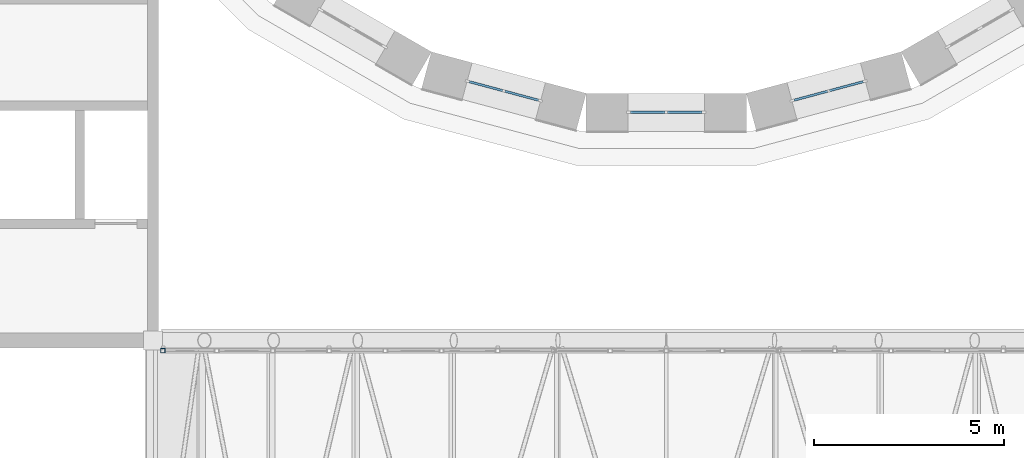
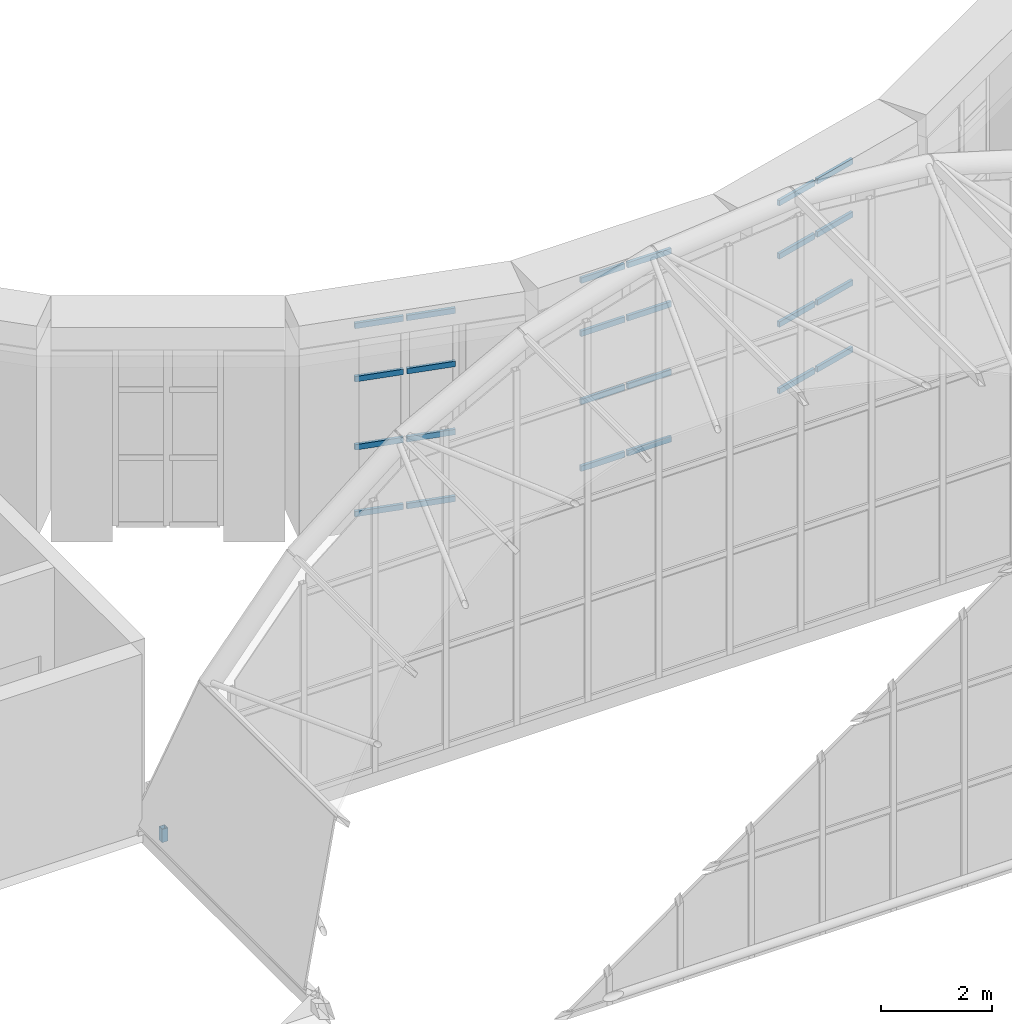
# One storey, part 69 of 121: 25 members, 4 elements without a shape of their own.
"""IFC4 building model written with IfcOpenShell, lengths in metres."""

import ifcopenshell
import ifcopenshell.guid

model = None  # the IFC model being written
_history = None  # IfcOwnerHistory: only IFC2X3 demands one
_inside = {}  # id of a spatial element -> (the spatial element, [elements in it])
_under = {}  # id of a project, library or spatial element -> (it, [spatial elements below it])
_declared = {}  # id of a project -> (the project, [libraries it declares])
_typed = {}  # id of a type object -> (the type object, [elements of that type])
_made_of = {}  # id of a material, layer set ... -> (it, [elements and type objects made of it])


def new_model(schema):
    """Start an empty IFC model of exactly this schema.

    Asked for "IFC4X3", IfcOpenShell would pick the latest addendum, in which some entities
    have other attributes; the version numbers below select the first issue.
    IFC2X3 requires an IfcOwnerHistory on every rooted entity: one is made here for all.
    """
    global model, _history
    if schema == "IFC4X3":
        model = ifcopenshell.file(schema_version=(4, 3, 0, 0))
    else:
        model = ifcopenshell.file(schema=schema)
    _inside.clear()
    _under.clear()
    _declared.clear()
    _typed.clear()
    _made_of.clear()
    _history = None
    if model.schema == "IFC2X3":
        org = make("IfcOrganization", Name="unknown")
        user = make(
            "IfcPersonAndOrganization",
            ThePerson=make("IfcPerson", FamilyName="unknown"),
            TheOrganization=org,
        )
        app = make(
            "IfcApplication",
            ApplicationDeveloper=org,
            Version="unknown",
            ApplicationFullName="unknown",
            ApplicationIdentifier="unknown",
        )
        _history = make(
            "IfcOwnerHistory",
            OwningUser=user,
            OwningApplication=app,
            ChangeAction="ADDED",
            CreationDate=0,
        )
    return model


def make(cls, **values):
    """One entity of the class cls with the attributes given. An attribute that is None is left unset."""
    return model.create_entity(
        cls, **{name: value for name, value in values.items() if value is not None}
    )


def rooted(cls, **values):
    """An entity with a GlobalId (a new one), such as an element, a storey or a relation."""
    return make(cls, GlobalId=ifcopenshell.guid.new(), OwnerHistory=_history, **values)


def si_unit(unit_type, name, prefix=None):
    """IfcSIUnit, for example si_unit("LENGTHUNIT", "METRE", prefix="MILLI")."""
    return make("IfcSIUnit", UnitType=unit_type, Prefix=prefix, Name=name)


def assignment(units):
    """IfcUnitAssignment: the units of a project."""
    return None if units is None else make("IfcUnitAssignment", Units=units)


def point(xyz):
    """IfcCartesianPoint."""
    return None if xyz is None else make("IfcCartesianPoint", Coordinates=xyz)


def direction(xyz):
    """IfcDirection."""
    return None if xyz is None else make("IfcDirection", DirectionRatios=xyz)


def frame(location, z_axis=None, x_axis=None):
    """IfcAxis2Placement3D, a coordinate frame: its origin and axes. An axis left out is left unset."""
    return make(
        "IfcAxis2Placement3D",
        Location=point(location),
        Axis=direction(z_axis),
        RefDirection=direction(x_axis),
    )


def frame_2d(location, x_axis=None):
    """IfcAxis2Placement2D, a coordinate frame in the plane: its origin and x axis."""
    return make(
        "IfcAxis2Placement2D", Location=point(location), RefDirection=direction(x_axis)
    )


def origin():
    """The frame at (0, 0, 0) with its axes left unset."""
    return frame((0.0, 0.0, 0.0))


def origin_2d():
    """The frame at (0, 0) in the plane with its x axis left unset."""
    return frame_2d((0.0, 0.0))


def place(relative_to, where):
    """IfcLocalPlacement: puts the frame where relative to a parent placement (None: the world)."""
    return make(
        "IfcLocalPlacement", PlacementRelTo=relative_to, RelativePlacement=where
    )


def context(
    kind, dimensions, precision=None, world=None, true_north=None, identifier=None
):
    """IfcGeometricRepresentationContext, for example the 3D "Model" context."""
    return make(
        "IfcGeometricRepresentationContext",
        ContextIdentifier=identifier,
        ContextType=kind,
        CoordinateSpaceDimension=dimensions,
        Precision=precision,
        WorldCoordinateSystem=world,
        TrueNorth=true_north,
    )


def subcontext(parent, identifier, kind, view, scale=None):
    """IfcGeometricRepresentationSubContext, for example "Body" below "Model"."""
    return make(
        "IfcGeometricRepresentationSubContext",
        ContextIdentifier=identifier,
        ContextType=kind,
        ParentContext=parent,
        TargetScale=scale,
        TargetView=view,
    )


def project(units=None, contexts=None):
    """IfcProject with its units and contexts."""
    return rooted(
        "IfcProject",
        Name="project",
        RepresentationContexts=contexts,
        UnitsInContext=assignment(units),
    )


def spatial(cls, under=None, at=None, **own):
    """A site, building, storey or space (cls), placed at a placement, below another one or the project."""
    s = rooted(cls, ObjectPlacement=at, **own)
    if under is not None:
        _under.setdefault(under.id(), (under, []))[1].append(s)
    return s


def profile(cls, at=None, kind="AREA", **sizes):
    """A parametric profile (cls). Its sizes go by their IFC names, for example OverallWidth=200.0."""
    return make(cls, ProfileType=kind, Position=at, **sizes)


def rectangle(**sizes):
    """IfcRectangleProfileDef."""
    return profile("IfcRectangleProfileDef", **sizes)


def hollow_rectangle(**sizes):
    """IfcRectangleHollowProfileDef."""
    return profile("IfcRectangleHollowProfileDef", **sizes)


def extrude(swept, where, along, depth):
    """IfcExtrudedAreaSolid: the profile swept, set in the frame where, extruded along a direction by depth."""
    return make(
        "IfcExtrudedAreaSolid",
        SweptArea=swept,
        Position=where,
        ExtrudedDirection=direction(along),
        Depth=depth,
    )


def shape(context_of_items, identifier, shape_type, items):
    """IfcShapeRepresentation: the items that make up one representation, for example the "Body"."""
    return make(
        "IfcShapeRepresentation",
        ContextOfItems=context_of_items,
        RepresentationIdentifier=identifier,
        RepresentationType=shape_type,
        Items=items,
    )


def material(Name=None, Category=None):
    """IfcMaterial."""
    return make("IfcMaterial", Name=Name, Category=Category)


def layer(
    of_material, thickness, ventilated=None, Name=None, Category=None, Priority=None
):
    """IfcMaterialLayer: one layer of a wall or slab, of a material (None: an air gap)."""
    return make(
        "IfcMaterialLayer",
        Material=of_material,
        LayerThickness=thickness,
        IsVentilated=ventilated,
        Name=Name,
        Category=Category,
        Priority=Priority,
    )


def layer_set(layers, Name=None):
    """IfcMaterialLayerSet."""
    return make("IfcMaterialLayerSet", MaterialLayers=layers, LayerSetName=Name)


def material_profile(
    of_material, cross_section, Name=None, Category=None, Priority=None
):
    """IfcMaterialProfile: a cross section and its material."""
    return make(
        "IfcMaterialProfile",
        Name=Name,
        Material=of_material,
        Profile=cross_section,
        Priority=Priority,
        Category=Category,
    )


def profile_set(profiles, Name=None, composite=None):
    """IfcMaterialProfileSet."""
    return make(
        "IfcMaterialProfileSet",
        Name=Name,
        MaterialProfiles=profiles,
        CompositeProfile=composite,
    )


def made_of(thing, what):
    """Note that an element or type object is made of a material, layer set ...; save() writes the relation."""
    if what is not None:
        _made_of.setdefault(what.id(), (what, []))[1].append(thing)
    return thing


def type_object(cls, material=None, **own):
    """A type object (cls), such as IfcWallType, which elements share."""
    return made_of(rooted(cls, **own), material)


def element(
    cls,
    number,
    at=None,
    inside=None,
    cuts=None,
    type_object=None,
    material=None,
    context=None,
    identifier="Body",
    shape_type=None,
    held_by="IfcProductDefinitionShape",
    body=None,
    shapes=None,
    **own,
):
    """One element of the class cls, such as IfcWall. Its Tag is "e" and its number.

    at: its placement. inside: the storey or other place that contains it. cuts: it is an
    opening in that element (IfcRelVoidsElement). A single representation is given by context,
    identifier, shape_type and body (its items); several are given by shapes. held_by: the class
    of the entity that holds the representations. save() writes the other relations.
    """
    e = rooted(cls, Tag="e%d" % number, ObjectPlacement=at, **own)
    if body is not None:
        shapes = [shape(context, identifier, shape_type, body)]
    if shapes is not None:
        e.Representation = make(held_by, Representations=shapes)
    if inside is not None:
        _inside.setdefault(inside.id(), (inside, []))[1].append(e)
    if cuts is not None:
        rooted(
            "IfcRelVoidsElement", RelatingBuildingElement=cuts, RelatedOpeningElement=e
        )
    if type_object is not None:
        _typed.setdefault(type_object.id(), (type_object, []))[1].append(e)
    return made_of(e, material)


def aggregate(whole, parts):
    """IfcRelAggregates: a whole, such as a stair, and the parts it consists of."""
    return rooted("IfcRelAggregates", RelatingObject=whole, RelatedObjects=parts)


def save(model, path):
    """Write the relations noted so far, then the file.

    IfcRelAggregates (storeys below a building ...), IfcRelContainedInSpatialStructure (elements
    in a storey), IfcRelDefinesByType, IfcRelAssociatesMaterial and IfcRelDeclares: one each for
    every whole, place, type object, material and project.
    """
    for whole, parts in _under.values():
        aggregate(whole, parts)
    for where, things in _inside.values():
        rooted(
            "IfcRelContainedInSpatialStructure",
            RelatedElements=things,
            RelatingStructure=where,
        )
    for kind, things in _typed.values():
        rooted("IfcRelDefinesByType", RelatedObjects=things, RelatingType=kind)
    for what, things in _made_of.values():
        rooted("IfcRelAssociatesMaterial", RelatedObjects=things, RelatingMaterial=what)
    for by, libraries in _declared.values():
        rooted("IfcRelDeclares", RelatingContext=by, RelatedDefinitions=libraries)
    model.write(path)


model = new_model("IFC4")

# Units and contexts
model_context = context("Model", 3, precision=1e-05, world=origin(), true_north=direction((0.0, 1.0)))
body_context = subcontext(model_context, "Body", "Model", "MODEL_VIEW")
ifc_project = project(units=[si_unit("LENGTHUNIT", "METRE"), si_unit("AREAUNIT", "SQUARE_METRE"), si_unit("VOLUMEUNIT", "CUBIC_METRE"), si_unit("PLANEANGLEUNIT", "RADIAN"), si_unit("MASSUNIT", "GRAM", prefix="KILO")], contexts=[model_context])

# Site, building, storey
site_placement = place(None, origin())
site = spatial("IfcSite", under=ifc_project, at=site_placement, CompositionType="ELEMENT")
building_placement = place(site_placement, origin())
building = spatial("IfcBuilding", under=site, at=building_placement, Name="Golden Quay Civic Hall", CompositionType="ELEMENT")
storey_placement = place(building_placement, frame((0.0, 0.0, 18.60009765625)))
storey = spatial("IfcBuildingStorey", under=building, at=storey_placement, Name="L04", CompositionType="ELEMENT", Elevation=18.60009765625)

# Curtain wall, members
ifc_material_1 = material(Name="Glass, laminated double glazed", Category="glass")
ifc_layer = layer(ifc_material_1, 0.199951171875)
ifc_layer_set = layer_set([ifc_layer], Name="Glazed drum clerestory curtain wall")
curtain_wall_type_1 = type_object("IfcCurtainWallType", Name="Glazed drum clerestory curtain wall", PredefinedType="NOTDEFINED", material=ifc_layer_set)
curtain_wall_1_placement = place(storey_placement, origin())
curtain_wall_1 = element("IfcCurtainWall", 1, at=curtain_wall_1_placement, inside=storey, type_object=curtain_wall_type_1, Name="Clerestory curtain wall 17", PredefinedType="NOTDEFINED")
ifc_material_2 = material(Name="Aluminium, anodised", Category="aluminium")
ifc_material_profile_1 = material_profile(ifc_material_2, rectangle(XDim=0.06005859375, YDim=0.1201171875, at=origin_2d()), Name="Aluminium 60 x 120")
ifc_profile_set_1 = profile_set([ifc_material_profile_1], Name="Aluminium, anodised")
member_type_1 = type_object("IfcMemberType", Name="Aluminium transom 60 x 120", PredefinedType="USERDEFINED", material=ifc_profile_set_1)
member_1_placement = place(storey_placement, frame((80.321533203125, 69.805419921875, -0.170166015625), z_axis=(0.965967209168, -0.258664552677, 0.0), x_axis=(0.258664552677, 0.965967209168, 0.0)))
member_1 = element("IfcMember", 2, at=member_1_placement, type_object=member_type_1, Name="CW5 transom 1.1", ObjectType="TRANSOM", PredefinedType="USERDEFINED", context=body_context, shape_type="SweptSolid", body=[
    extrude(rectangle(XDim=0.06005859375, YDim=0.1201171875, at=origin_2d()), origin(), (0.0, 0.0, 1.0), 0.909912109375),
])
member_2_placement = place(storey_placement, frame((80.321533203125, 69.805419921875, 1.2998046875), z_axis=(0.965967209168, -0.258664552677, 0.0), x_axis=(0.258664552677, 0.965967209168, 0.0)))
member_2 = element("IfcMember", 3, at=member_2_placement, type_object=member_type_1, Name="CW5 transom 1.2", ObjectType="TRANSOM", PredefinedType="USERDEFINED", context=body_context, shape_type="SweptSolid", body=[
    extrude(rectangle(XDim=0.06005859375, YDim=0.1201171875, at=origin_2d()), origin(), (0.0, 0.0, 1.0), 0.909912109375),
])
member_3_placement = place(storey_placement, frame((80.321533203125, 69.805419921875, 2.7998046875), z_axis=(0.965967209168, -0.258664552677, 0.0), x_axis=(0.258664552677, 0.965967209168, 0.0)))
member_3 = element("IfcMember", 4, at=member_3_placement, type_object=member_type_1, Name="CW5 transom 1.3", ObjectType="TRANSOM", PredefinedType="USERDEFINED", context=body_context, shape_type="SweptSolid", body=[
    extrude(rectangle(XDim=0.06005859375, YDim=0.1201171875, at=origin_2d()), origin(), (0.0, 0.0, 1.0), 0.909912109375),
])
member_4_placement = place(storey_placement, frame((80.321533203125, 69.805419921875, 3.969970703125), z_axis=(0.965967209168, -0.258664552677, 0.0), x_axis=(0.258664552677, 0.965967209168, 0.0)))
member_4 = element("IfcMember", 5, at=member_4_placement, type_object=member_type_1, Name="CW5 transom 1.4", ObjectType="TRANSOM", PredefinedType="USERDEFINED", context=body_context, shape_type="SweptSolid", body=[
    extrude(rectangle(XDim=0.06005859375, YDim=0.1201171875, at=origin_2d()), origin(), (0.0, 0.0, 1.0), 0.909912109375),
])
member_5_placement = place(storey_placement, frame((81.258544921875, 69.554443359375, -0.170166015625), z_axis=(0.965900137494, -0.258914897967, 0.0), x_axis=(0.258914897967, 0.965900137494, 0.0)))
member_5 = element("IfcMember", 6, at=member_5_placement, type_object=member_type_1, Name="CW5 transom 2.1", ObjectType="TRANSOM", PredefinedType="USERDEFINED", context=body_context, shape_type="SweptSolid", body=[
    extrude(rectangle(XDim=0.06005859375, YDim=0.1201171875, at=origin_2d()), origin(), (0.0, 0.0, 1.0), 0.909912109375),
])
member_6_placement = place(storey_placement, frame((81.258544921875, 69.554443359375, 1.2998046875), z_axis=(0.965900137494, -0.258914897967, 0.0), x_axis=(0.258914897967, 0.965900137494, 0.0)))
member_6 = element("IfcMember", 7, at=member_6_placement, type_object=member_type_1, Name="CW5 transom 2.2", ObjectType="TRANSOM", PredefinedType="USERDEFINED", context=body_context, shape_type="SweptSolid", body=[
    extrude(rectangle(XDim=0.06005859375, YDim=0.1201171875, at=origin_2d()), origin(), (0.0, 0.0, 1.0), 0.909912109375),
])
member_7_placement = place(storey_placement, frame((81.258544921875, 69.554443359375, 2.7998046875), z_axis=(0.965900137494, -0.258914897967, 0.0), x_axis=(0.258914897967, 0.965900137494, 0.0)))
member_7 = element("IfcMember", 8, at=member_7_placement, type_object=member_type_1, Name="CW5 transom 2.3", ObjectType="TRANSOM", PredefinedType="USERDEFINED", context=body_context, shape_type="SweptSolid", body=[
    extrude(rectangle(XDim=0.06005859375, YDim=0.1201171875, at=origin_2d()), origin(), (0.0, 0.0, 1.0), 0.909912109375),
])
member_8_placement = place(storey_placement, frame((81.258544921875, 69.554443359375, 3.969970703125), z_axis=(0.965900137494, -0.258914897967, 0.0), x_axis=(0.258914897967, 0.965900137494, 0.0)))
member_8 = element("IfcMember", 9, at=member_8_placement, type_object=member_type_1, Name="CW5 transom 2.4", ObjectType="TRANSOM", PredefinedType="USERDEFINED", context=body_context, shape_type="SweptSolid", body=[
    extrude(rectangle(XDim=0.06005859375, YDim=0.1201171875, at=origin_2d()), origin(), (0.0, 0.0, 1.0), 0.909912109375),
])
aggregate(curtain_wall_1, [member_1, member_2, member_3, member_4, member_5, member_6, member_7, member_8])

curtain_wall_2_placement = place(storey_placement, origin())
curtain_wall_2 = element("IfcCurtainWall", 10, at=curtain_wall_2_placement, inside=storey, type_object=curtain_wall_type_1, Name="Clerestory curtain wall 18", PredefinedType="NOTDEFINED")
member_9_placement = place(storey_placement, frame((84.56005859375, 69.0, -0.170166015625), z_axis=(1.0, 0.0, 0.0), x_axis=(0.0, 1.0, 0.0)))
member_9 = element("IfcMember", 11, at=member_9_placement, type_object=member_type_1, Name="CW5 transom 1.1", ObjectType="TRANSOM", PredefinedType="USERDEFINED", context=body_context, shape_type="SweptSolid", body=[
    extrude(rectangle(XDim=0.06005859375, YDim=0.1201171875, at=origin_2d()), origin(), (0.0, 0.0, 1.0), 0.909912109375),
])
member_10_placement = place(storey_placement, frame((84.56005859375, 69.0, 1.2998046875), z_axis=(1.0, 0.0, 0.0), x_axis=(0.0, 1.0, 0.0)))
member_10 = element("IfcMember", 12, at=member_10_placement, type_object=member_type_1, Name="CW5 transom 1.2", ObjectType="TRANSOM", PredefinedType="USERDEFINED", context=body_context, shape_type="SweptSolid", body=[
    extrude(rectangle(XDim=0.06005859375, YDim=0.1201171875, at=origin_2d()), origin(), (0.0, 0.0, 1.0), 0.909912109375),
])
member_11_placement = place(storey_placement, frame((84.56005859375, 69.0, 2.7998046875), z_axis=(1.0, 0.0, 0.0), x_axis=(0.0, 1.0, 0.0)))
member_11 = element("IfcMember", 13, at=member_11_placement, type_object=member_type_1, Name="CW5 transom 1.3", ObjectType="TRANSOM", PredefinedType="USERDEFINED", context=body_context, shape_type="SweptSolid", body=[
    extrude(rectangle(XDim=0.06005859375, YDim=0.1201171875, at=origin_2d()), origin(), (0.0, 0.0, 1.0), 0.909912109375),
])
member_12_placement = place(storey_placement, frame((84.56005859375, 69.0, 3.969970703125), z_axis=(1.0, 0.0, 0.0), x_axis=(0.0, 1.0, 0.0)))
member_12 = element("IfcMember", 14, at=member_12_placement, type_object=member_type_1, Name="CW5 transom 1.4", ObjectType="TRANSOM", PredefinedType="USERDEFINED", context=body_context, shape_type="SweptSolid", body=[
    extrude(rectangle(XDim=0.06005859375, YDim=0.1201171875, at=origin_2d()), origin(), (0.0, 0.0, 1.0), 0.909912109375),
])
member_13_placement = place(storey_placement, frame((85.530029296875, 69.0, -0.170166015625), z_axis=(1.0, 0.0, 0.0), x_axis=(0.0, 1.0, 0.0)))
member_13 = element("IfcMember", 15, at=member_13_placement, type_object=member_type_1, Name="CW5 transom 2.1", ObjectType="TRANSOM", PredefinedType="USERDEFINED", context=body_context, shape_type="SweptSolid", body=[
    extrude(rectangle(XDim=0.06005859375, YDim=0.1201171875, at=origin_2d()), origin(), (0.0, 0.0, 1.0), 0.909912109375),
])
member_14_placement = place(storey_placement, frame((85.530029296875, 69.0, 1.2998046875), z_axis=(1.0, 0.0, 0.0), x_axis=(0.0, 1.0, 0.0)))
member_14 = element("IfcMember", 16, at=member_14_placement, type_object=member_type_1, Name="CW5 transom 2.2", ObjectType="TRANSOM", PredefinedType="USERDEFINED", context=body_context, shape_type="SweptSolid", body=[
    extrude(rectangle(XDim=0.06005859375, YDim=0.1201171875, at=origin_2d()), origin(), (0.0, 0.0, 1.0), 0.909912109375),
])
member_15_placement = place(storey_placement, frame((85.530029296875, 69.0, 2.7998046875), z_axis=(1.0, 0.0, 0.0), x_axis=(0.0, 1.0, 0.0)))
member_15 = element("IfcMember", 17, at=member_15_placement, type_object=member_type_1, Name="CW5 transom 2.3", ObjectType="TRANSOM", PredefinedType="USERDEFINED", context=body_context, shape_type="SweptSolid", body=[
    extrude(rectangle(XDim=0.06005859375, YDim=0.1201171875, at=origin_2d()), origin(), (0.0, 0.0, 1.0), 0.909912109375),
])
member_16_placement = place(storey_placement, frame((85.530029296875, 69.0, 3.969970703125), z_axis=(1.0, 0.0, 0.0), x_axis=(0.0, 1.0, 0.0)))
member_16 = element("IfcMember", 18, at=member_16_placement, type_object=member_type_1, Name="CW5 transom 2.4", ObjectType="TRANSOM", PredefinedType="USERDEFINED", context=body_context, shape_type="SweptSolid", body=[
    extrude(rectangle(XDim=0.06005859375, YDim=0.1201171875, at=origin_2d()), origin(), (0.0, 0.0, 1.0), 0.909912109375),
])
aggregate(curtain_wall_2, [member_9, member_10, member_11, member_12, member_13, member_14, member_15, member_16])

curtain_wall_3_placement = place(storey_placement, origin())
curtain_wall_3 = element("IfcCurtainWall", 19, at=curtain_wall_3_placement, inside=storey, type_object=curtain_wall_type_1, Name="Clerestory curtain wall 19", PredefinedType="NOTDEFINED")
member_17_placement = place(storey_placement, frame((88.862548828125, 69.31884765625, -0.170166015625), z_axis=(0.965900137494, 0.258914897967, 0.0), x_axis=(-0.258914897967, 0.965900137494, 0.0)))
member_17 = element("IfcMember", 20, at=member_17_placement, type_object=member_type_1, Name="CW5 transom 1.1", ObjectType="TRANSOM", PredefinedType="USERDEFINED", context=body_context, shape_type="SweptSolid", body=[
    extrude(rectangle(XDim=0.06005859375, YDim=0.1201171875, at=origin_2d()), origin(), (0.0, 0.0, 1.0), 0.909912109375),
])
member_18_placement = place(storey_placement, frame((88.862548828125, 69.31884765625, 1.2998046875), z_axis=(0.965900137494, 0.258914897967, 0.0), x_axis=(-0.258914897967, 0.965900137494, 0.0)))
member_18 = element("IfcMember", 21, at=member_18_placement, type_object=member_type_1, Name="CW5 transom 1.2", ObjectType="TRANSOM", PredefinedType="USERDEFINED", context=body_context, shape_type="SweptSolid", body=[
    extrude(rectangle(XDim=0.06005859375, YDim=0.1201171875, at=origin_2d()), origin(), (0.0, 0.0, 1.0), 0.909912109375),
])
member_19_placement = place(storey_placement, frame((88.862548828125, 69.31884765625, 2.7998046875), z_axis=(0.965900137494, 0.258914897967, 0.0), x_axis=(-0.258914897967, 0.965900137494, 0.0)))
member_19 = element("IfcMember", 22, at=member_19_placement, type_object=member_type_1, Name="CW5 transom 1.3", ObjectType="TRANSOM", PredefinedType="USERDEFINED", context=body_context, shape_type="SweptSolid", body=[
    extrude(rectangle(XDim=0.06005859375, YDim=0.1201171875, at=origin_2d()), origin(), (0.0, 0.0, 1.0), 0.909912109375),
])
member_20_placement = place(storey_placement, frame((88.862548828125, 69.31884765625, 3.969970703125), z_axis=(0.965900137494, 0.258914897967, 0.0), x_axis=(-0.258914897967, 0.965900137494, 0.0)))
member_20 = element("IfcMember", 23, at=member_20_placement, type_object=member_type_1, Name="CW5 transom 1.4", ObjectType="TRANSOM", PredefinedType="USERDEFINED", context=body_context, shape_type="SweptSolid", body=[
    extrude(rectangle(XDim=0.06005859375, YDim=0.1201171875, at=origin_2d()), origin(), (0.0, 0.0, 1.0), 0.909912109375),
])
member_21_placement = place(storey_placement, frame((89.799560546875, 69.570068359375, -0.170166015625), z_axis=(0.965967209168, 0.258664552677, 0.0), x_axis=(-0.258664552677, 0.965967209168, 0.0)))
member_21 = element("IfcMember", 24, at=member_21_placement, type_object=member_type_1, Name="CW5 transom 2.1", ObjectType="TRANSOM", PredefinedType="USERDEFINED", context=body_context, shape_type="SweptSolid", body=[
    extrude(rectangle(XDim=0.06005859375, YDim=0.1201171875, at=origin_2d()), origin(), (0.0, 0.0, 1.0), 0.909912109375),
])
member_22_placement = place(storey_placement, frame((89.799560546875, 69.570068359375, 1.2998046875), z_axis=(0.965967209168, 0.258664552677, 0.0), x_axis=(-0.258664552677, 0.965967209168, 0.0)))
member_22 = element("IfcMember", 25, at=member_22_placement, type_object=member_type_1, Name="CW5 transom 2.2", ObjectType="TRANSOM", PredefinedType="USERDEFINED", context=body_context, shape_type="SweptSolid", body=[
    extrude(rectangle(XDim=0.06005859375, YDim=0.1201171875, at=origin_2d()), origin(), (0.0, 0.0, 1.0), 0.909912109375),
])
member_23_placement = place(storey_placement, frame((89.799560546875, 69.570068359375, 2.7998046875), z_axis=(0.965967209168, 0.258664552677, 0.0), x_axis=(-0.258664552677, 0.965967209168, 0.0)))
member_23 = element("IfcMember", 26, at=member_23_placement, type_object=member_type_1, Name="CW5 transom 2.3", ObjectType="TRANSOM", PredefinedType="USERDEFINED", context=body_context, shape_type="SweptSolid", body=[
    extrude(rectangle(XDim=0.06005859375, YDim=0.1201171875, at=origin_2d()), origin(), (0.0, 0.0, 1.0), 0.909912109375),
])
member_24_placement = place(storey_placement, frame((89.799560546875, 69.570068359375, 3.969970703125), z_axis=(0.965967209168, 0.258664552677, 0.0), x_axis=(-0.258664552677, 0.965967209168, 0.0)))
member_24 = element("IfcMember", 27, at=member_24_placement, type_object=member_type_1, Name="CW5 transom 2.4", ObjectType="TRANSOM", PredefinedType="USERDEFINED", context=body_context, shape_type="SweptSolid", body=[
    extrude(rectangle(XDim=0.06005859375, YDim=0.1201171875, at=origin_2d()), origin(), (0.0, 0.0, 1.0), 0.909912109375),
])
aggregate(curtain_wall_3, [member_17, member_18, member_19, member_20, member_21, member_22, member_23, member_24])

# Curtain wall, member
ifc_material_3 = material(Name="Glass and aluminium", Category="aluminium")
curtain_wall_type_2 = type_object("IfcCurtainWallType", Name="Glazed curtain wall 1500 module", PredefinedType="NOTDEFINED", material=ifc_material_3)
curtain_wall_4_placement = place(storey_placement, origin())
curtain_wall_4 = element("IfcCurtainWall", 28, at=curtain_wall_4_placement, inside=storey, type_object=curtain_wall_type_2, Name="Curtain wall tympanum north", PredefinedType="NOTDEFINED")
ifc_material_4 = material(Name="Steel S355", Category="steel")
ifc_material_profile_2 = material_profile(ifc_material_4, hollow_rectangle(XDim=0.1201171875, YDim=0.1201171875, WallThickness=0.008056640625, at=origin_2d()), Name="SHS 120x120x8")
ifc_profile_set_2 = profile_set([ifc_material_profile_2], Name="Steel S355")
member_type_2 = type_object("IfcMemberType", Name="Steel mullion SHS 120x120x8", PredefinedType="MULLION", material=ifc_profile_set_2)
member_25_placement = place(storey_placement, frame((72.260009765625, 62.72998046875, -0.25), z_axis=(0.0, 0.0, 1.0), x_axis=(0.0, 1.0, 0.0)))
member_25 = element("IfcMember", 29, at=member_25_placement, type_object=member_type_2, Name="Tympanum mullion 1", PredefinedType="MULLION", context=body_context, shape_type="SweptSolid", body=[
    extrude(hollow_rectangle(XDim=0.1201171875, YDim=0.1201171875, WallThickness=0.008056640625, at=origin_2d()), origin(), (0.0, 0.0, 1.0), 0.292724609375),
])
aggregate(curtain_wall_4, [member_25])

save(model, "model.ifc")
